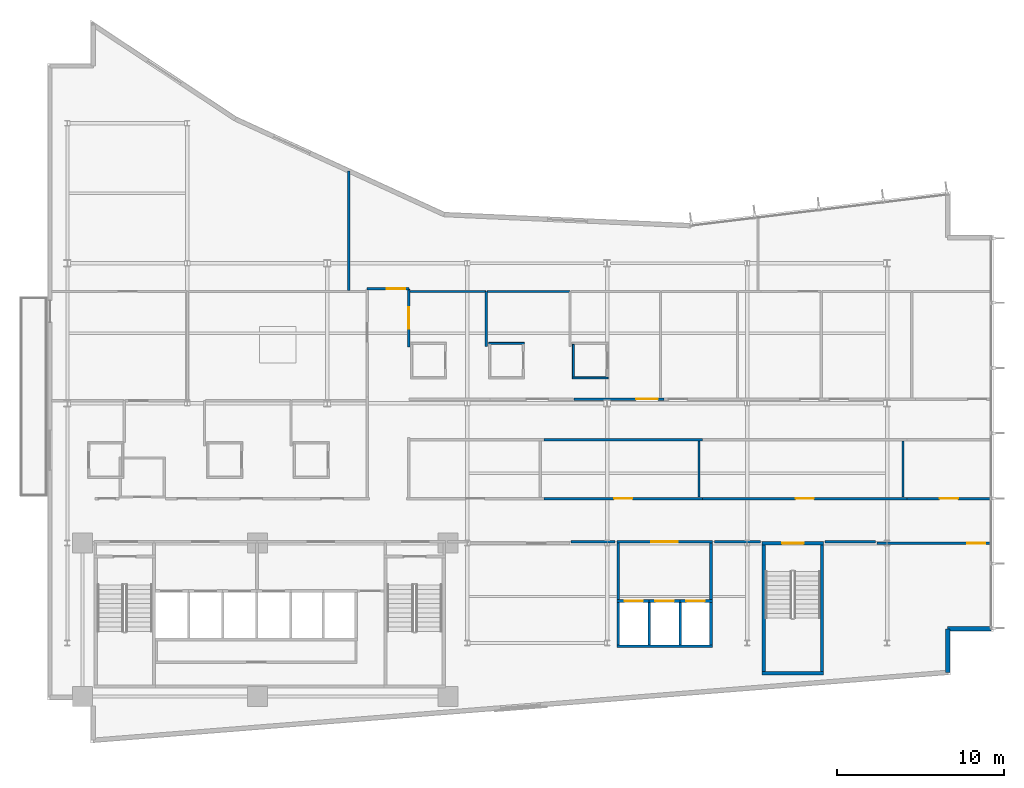
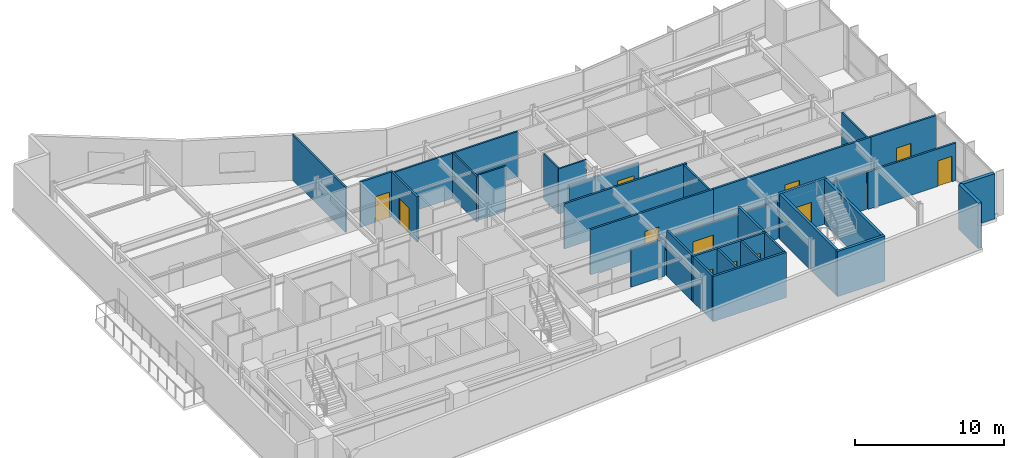
# One storey, part 12 of 19: 37 walls, 12 doors, 12 openings.
"""IFC4 building model written with IfcOpenShell, lengths in metres."""

import ifcopenshell
import ifcopenshell.guid

model = None  # the IFC model being written
_history = None  # IfcOwnerHistory: only IFC2X3 demands one
_inside = {}  # id of a spatial element -> (the spatial element, [elements in it])
_under = {}  # id of a project, library or spatial element -> (it, [spatial elements below it])
_declared = {}  # id of a project -> (the project, [libraries it declares])
_typed = {}  # id of a type object -> (the type object, [elements of that type])
_made_of = {}  # id of a material, layer set ... -> (it, [elements and type objects made of it])


def new_model(schema):
    """Start an empty IFC model of exactly this schema.

    Asked for "IFC4X3", IfcOpenShell would pick the latest addendum, in which some entities
    have other attributes; the version numbers below select the first issue.
    IFC2X3 requires an IfcOwnerHistory on every rooted entity: one is made here for all.
    """
    global model, _history
    if schema == "IFC4X3":
        model = ifcopenshell.file(schema_version=(4, 3, 0, 0))
    else:
        model = ifcopenshell.file(schema=schema)
    _inside.clear()
    _under.clear()
    _declared.clear()
    _typed.clear()
    _made_of.clear()
    _history = None
    if model.schema == "IFC2X3":
        org = make("IfcOrganization", Name="unknown")
        user = make(
            "IfcPersonAndOrganization",
            ThePerson=make("IfcPerson", FamilyName="unknown"),
            TheOrganization=org,
        )
        app = make(
            "IfcApplication",
            ApplicationDeveloper=org,
            Version="unknown",
            ApplicationFullName="unknown",
            ApplicationIdentifier="unknown",
        )
        _history = make(
            "IfcOwnerHistory",
            OwningUser=user,
            OwningApplication=app,
            ChangeAction="ADDED",
            CreationDate=0,
        )
    return model


def make(cls, **values):
    """One entity of the class cls with the attributes given. An attribute that is None is left unset."""
    return model.create_entity(
        cls, **{name: value for name, value in values.items() if value is not None}
    )


def rooted(cls, **values):
    """An entity with a GlobalId (a new one), such as an element, a storey or a relation."""
    return make(cls, GlobalId=ifcopenshell.guid.new(), OwnerHistory=_history, **values)


def si_unit(unit_type, name, prefix=None):
    """IfcSIUnit, for example si_unit("LENGTHUNIT", "METRE", prefix="MILLI")."""
    return make("IfcSIUnit", UnitType=unit_type, Prefix=prefix, Name=name)


def assignment(units):
    """IfcUnitAssignment: the units of a project."""
    return None if units is None else make("IfcUnitAssignment", Units=units)


def point(xyz):
    """IfcCartesianPoint."""
    return None if xyz is None else make("IfcCartesianPoint", Coordinates=xyz)


def direction(xyz):
    """IfcDirection."""
    return None if xyz is None else make("IfcDirection", DirectionRatios=xyz)


def frame(location, z_axis=None, x_axis=None):
    """IfcAxis2Placement3D, a coordinate frame: its origin and axes. An axis left out is left unset."""
    return make(
        "IfcAxis2Placement3D",
        Location=point(location),
        Axis=direction(z_axis),
        RefDirection=direction(x_axis),
    )


def frame_2d(location, x_axis=None):
    """IfcAxis2Placement2D, a coordinate frame in the plane: its origin and x axis."""
    return make(
        "IfcAxis2Placement2D", Location=point(location), RefDirection=direction(x_axis)
    )


def origin():
    """The frame at (0, 0, 0) with its axes left unset."""
    return frame((0.0, 0.0, 0.0))


def place(relative_to, where):
    """IfcLocalPlacement: puts the frame where relative to a parent placement (None: the world)."""
    return make(
        "IfcLocalPlacement", PlacementRelTo=relative_to, RelativePlacement=where
    )


def context(
    kind, dimensions, precision=None, world=None, true_north=None, identifier=None
):
    """IfcGeometricRepresentationContext, for example the 3D "Model" context."""
    return make(
        "IfcGeometricRepresentationContext",
        ContextIdentifier=identifier,
        ContextType=kind,
        CoordinateSpaceDimension=dimensions,
        Precision=precision,
        WorldCoordinateSystem=world,
        TrueNorth=true_north,
    )


def subcontext(parent, identifier, kind, view, scale=None):
    """IfcGeometricRepresentationSubContext, for example "Body" below "Model"."""
    return make(
        "IfcGeometricRepresentationSubContext",
        ContextIdentifier=identifier,
        ContextType=kind,
        ParentContext=parent,
        TargetScale=scale,
        TargetView=view,
    )


def project(units=None, contexts=None):
    """IfcProject with its units and contexts."""
    return rooted(
        "IfcProject",
        Name="project",
        RepresentationContexts=contexts,
        UnitsInContext=assignment(units),
    )


def spatial(cls, under=None, at=None, **own):
    """A site, building, storey or space (cls), placed at a placement, below another one or the project."""
    s = rooted(cls, ObjectPlacement=at, **own)
    if under is not None:
        _under.setdefault(under.id(), (under, []))[1].append(s)
    return s


def profile(cls, at=None, kind="AREA", **sizes):
    """A parametric profile (cls). Its sizes go by their IFC names, for example OverallWidth=200.0."""
    return make(cls, ProfileType=kind, Position=at, **sizes)


def rectangle(**sizes):
    """IfcRectangleProfileDef."""
    return profile("IfcRectangleProfileDef", **sizes)


def extrude(swept, where, along, depth):
    """IfcExtrudedAreaSolid: the profile swept, set in the frame where, extruded along a direction by depth."""
    return make(
        "IfcExtrudedAreaSolid",
        SweptArea=swept,
        Position=where,
        ExtrudedDirection=direction(along),
        Depth=depth,
    )


def shape(context_of_items, identifier, shape_type, items):
    """IfcShapeRepresentation: the items that make up one representation, for example the "Body"."""
    return make(
        "IfcShapeRepresentation",
        ContextOfItems=context_of_items,
        RepresentationIdentifier=identifier,
        RepresentationType=shape_type,
        Items=items,
    )


def material(Name=None, Category=None):
    """IfcMaterial."""
    return make("IfcMaterial", Name=Name, Category=Category)


def layer(
    of_material, thickness, ventilated=None, Name=None, Category=None, Priority=None
):
    """IfcMaterialLayer: one layer of a wall or slab, of a material (None: an air gap)."""
    return make(
        "IfcMaterialLayer",
        Material=of_material,
        LayerThickness=thickness,
        IsVentilated=ventilated,
        Name=Name,
        Category=Category,
        Priority=Priority,
    )


def layer_set(layers, Name=None):
    """IfcMaterialLayerSet."""
    return make("IfcMaterialLayerSet", MaterialLayers=layers, LayerSetName=Name)


def made_of(thing, what):
    """Note that an element or type object is made of a material, layer set ...; save() writes the relation."""
    if what is not None:
        _made_of.setdefault(what.id(), (what, []))[1].append(thing)
    return thing


def type_object(cls, material=None, **own):
    """A type object (cls), such as IfcWallType, which elements share."""
    return made_of(rooted(cls, **own), material)


def element(
    cls,
    number,
    at=None,
    inside=None,
    cuts=None,
    type_object=None,
    material=None,
    context=None,
    identifier="Body",
    shape_type=None,
    held_by="IfcProductDefinitionShape",
    body=None,
    shapes=None,
    **own,
):
    """One element of the class cls, such as IfcWall. Its Tag is "e" and its number.

    at: its placement. inside: the storey or other place that contains it. cuts: it is an
    opening in that element (IfcRelVoidsElement). A single representation is given by context,
    identifier, shape_type and body (its items); several are given by shapes. held_by: the class
    of the entity that holds the representations. save() writes the other relations.
    """
    e = rooted(cls, Tag="e%d" % number, ObjectPlacement=at, **own)
    if body is not None:
        shapes = [shape(context, identifier, shape_type, body)]
    if shapes is not None:
        e.Representation = make(held_by, Representations=shapes)
    if inside is not None:
        _inside.setdefault(inside.id(), (inside, []))[1].append(e)
    if cuts is not None:
        rooted(
            "IfcRelVoidsElement", RelatingBuildingElement=cuts, RelatedOpeningElement=e
        )
    if type_object is not None:
        _typed.setdefault(type_object.id(), (type_object, []))[1].append(e)
    return made_of(e, material)


def fill(opening, filler):
    """IfcRelFillsElement: the door or window that sits in an opening."""
    return rooted(
        "IfcRelFillsElement",
        RelatingOpeningElement=opening,
        RelatedBuildingElement=filler,
    )


def aggregate(whole, parts):
    """IfcRelAggregates: a whole, such as a stair, and the parts it consists of."""
    return rooted("IfcRelAggregates", RelatingObject=whole, RelatedObjects=parts)


def save(model, path):
    """Write the relations noted so far, then the file.

    IfcRelAggregates (storeys below a building ...), IfcRelContainedInSpatialStructure (elements
    in a storey), IfcRelDefinesByType, IfcRelAssociatesMaterial and IfcRelDeclares: one each for
    every whole, place, type object, material and project.
    """
    for whole, parts in _under.values():
        aggregate(whole, parts)
    for where, things in _inside.values():
        rooted(
            "IfcRelContainedInSpatialStructure",
            RelatedElements=things,
            RelatingStructure=where,
        )
    for kind, things in _typed.values():
        rooted("IfcRelDefinesByType", RelatedObjects=things, RelatingType=kind)
    for what, things in _made_of.values():
        rooted("IfcRelAssociatesMaterial", RelatedObjects=things, RelatingMaterial=what)
    for by, libraries in _declared.values():
        rooted("IfcRelDeclares", RelatingContext=by, RelatedDefinitions=libraries)
    model.write(path)


model = new_model("IFC4")

# Units and contexts
model_context = context("Model", 3, precision=1e-05, world=origin(), true_north=direction((0.0, 1.0)))
body_context = subcontext(model_context, "Body", "Model", "MODEL_VIEW")
ifc_project = project(units=[si_unit("LENGTHUNIT", "METRE"), si_unit("AREAUNIT", "SQUARE_METRE"), si_unit("VOLUMEUNIT", "CUBIC_METRE"), si_unit("PLANEANGLEUNIT", "RADIAN"), si_unit("MASSUNIT", "GRAM", prefix="KILO")], contexts=[model_context])

# Site, building, storey
site_placement = place(None, origin())
site = spatial("IfcSite", under=ifc_project, at=site_placement, CompositionType="ELEMENT")
building_placement = place(site_placement, origin())
building = spatial("IfcBuilding", under=site, at=building_placement, Name="Varnakote Quay Hospital", CompositionType="ELEMENT")
storey_placement = place(building_placement, frame((0.0, 0.0, 115.199951171875)))
storey = spatial("IfcBuildingStorey", under=building, at=storey_placement, Name="L28", CompositionType="ELEMENT", Elevation=115.199951171875)

# Walls
ifc_material_1 = material(Name="Fire-rated acoustic gypsum stud wall", Category="gypsum")
ifc_layer_1 = layer(ifc_material_1, 0.159912109375)
ifc_layer_set_1 = layer_set([ifc_layer_1], Name="Fire-rated acoustic gypsum stud wall")
wall_type_1 = type_object("IfcWallType", Name="WL-COMP-160", PredefinedType="PARTITIONING", material=ifc_layer_set_1)
for number, where, z_axis, x_axis, name in (
    (1, (34.27001953125, 8.610107421875, 0.0), (0.0, 0.0, 1.0), (0.0, 1.0, 0.0), "L28 Mid-Rise Lift Lobby West Wall"),
    (2, (39.830078125, 8.610107421875, 0.0), (0.0, 0.0, 1.0), (0.0, 1.0, 0.0), "L28 Mid-Rise Lift Lobby East Wall"),
):
    element("IfcWall", number, at=place(storey_placement, frame(where, z_axis=z_axis, x_axis=x_axis)), inside=storey, type_object=wall_type_1, Name=name, PredefinedType="PARTITIONING", context=body_context, shape_type="SweptSolid", body=[
        extrude(rectangle(XDim=3.389892578125, YDim=0.159912109375, at=frame_2d((1.69482421875, 0.0))), origin(), (0.0, 0.0, 1.0), 3.7099609375),
    ])

# Wall, opening, door
wall_1_placement = place(storey_placement, frame((34.18994140625, 12.080078125, 0.0), z_axis=(0.0, 0.0, 1.0), x_axis=(1.0, 0.0, 0.0)))
wall_1 = element("IfcWall", 3, at=wall_1_placement, inside=storey, type_object=wall_type_1, Name="L28 Mid-Rise Lift Lobby North Wall", PredefinedType="PARTITIONING", context=body_context, shape_type="SweptSolid", body=[
    extrude(rectangle(XDim=5.719970703125, YDim=0.159912109375, at=frame_2d((2.85986328125, 0.0))), origin(), (0.0, 0.0, 1.0), 3.0830078125),
])
opening_1_placement = place(wall_1_placement, frame((2.06005859375, 0.0, 0.0)))
opening_1 = element("IfcOpeningElement", 4, at=opening_1_placement, cuts=wall_1, Name="Opening D-PML-L28", PredefinedType="OPENING", context=body_context, shape_type="SweptSolid", body=[
    extrude(rectangle(XDim=1.60009765625, YDim=2.050048828125, at=frame_2d((0.800048828125, 1.02490234375))), frame((0.0, 0.08984375, 0.0), z_axis=(0.0, -1.0, 0.0), x_axis=(1.0, 0.0, 0.0)), (0.0, 0.0, 1.0), 0.179931640625),
])
ifc_material_2 = material(Name="Fire-rated double smoke lobby door")
door_type_1 = type_object("IfcDoorType", Name="DR-LOBBY-FD60S-1600x2150", OperationType="NOTDEFINED", PredefinedType="DOOR", material=ifc_material_2)
door_1_placement = place(opening_1_placement, origin())
door_1 = element("IfcDoor", 5, at=door_1_placement, inside=storey, type_object=door_type_1, Name="L28 Mid-Rise Passenger Concourse Vestibule Door", OperationType="DOUBLE_DOOR_SINGLE_SWING", OverallHeight=2.050048828125, OverallWidth=1.60009765625, PredefinedType="DOOR", context=body_context, shape_type="SweptSolid", body=[
    extrude(rectangle(XDim=1.60009765625, YDim=2.050048828125, at=frame_2d((0.800048828125, 1.02490234375))), frame((0.0, 0.02490234375, 0.0), z_axis=(0.0, -1.0, 0.0), x_axis=(1.0, 0.0, 0.0)), (0.0, 0.0, 1.0), 0.050048828125),
])
fill(opening_1, door_1)

# Walls
wall_2_placement = place(storey_placement, frame((31.439208984375, 12.080078125, 0.0), z_axis=(0.0, 0.0, 1.0), x_axis=(1.0, 0.0, 0.0)))
element("IfcWall", 6, at=wall_2_placement, inside=storey, type_object=wall_type_1, Name="L28 Corridor South Gap Wall", PredefinedType="PARTITIONING", context=body_context, shape_type="SweptSolid", body=[
    extrude(rectangle(XDim=2.630859375, YDim=0.159912109375, at=frame_2d((1.3154296875, 0.0))), origin(), (0.0, 0.0, 1.0), 3.0830078125),
])
wall_3_placement = place(storey_placement, frame((40.030029296875, 12.080078125, 0.0), z_axis=(0.0, 0.0, 1.0), x_axis=(1.0, 0.0, 0.0)))
element("IfcWall", 7, at=wall_3_placement, inside=storey, type_object=wall_type_1, Name="L28 Corridor South Gap Wall", PredefinedType="PARTITIONING", context=body_context, shape_type="SweptSolid", body=[
    extrude(rectangle(XDim=2.78076171875, YDim=0.159912109375, at=frame_2d((1.390380859375, 0.0))), origin(), (0.0, 0.0, 1.0), 3.0830078125),
])
wall_4_placement = place(storey_placement, frame((46.689208984375, 12.080078125, 0.0), z_axis=(0.0, 0.0, 1.0), x_axis=(1.0, 0.0, 0.0)))
element("IfcWall", 8, at=wall_4_placement, inside=storey, type_object=wall_type_1, Name="L28 Corridor South Gap Wall", PredefinedType="PARTITIONING", context=body_context, shape_type="SweptSolid", body=[
    extrude(rectangle(XDim=3.0107421875, YDim=0.159912109375, at=frame_2d((1.50537109375, 0.0))), origin(), (0.0, 0.0, 1.0), 3.0830078125),
])
ifc_material_3 = material(Name="Moisture-resistant bathroom partition", Category="gypsum")
ifc_layer_2 = layer(ifc_material_3, 0.114990234375)
ifc_layer_set_2 = layer_set([ifc_layer_2], Name="Moisture-resistant bathroom partition")
wall_type_2 = type_object("IfcWallType", Name="WL-ENS-115", PredefinedType="PARTITIONING", material=ifc_layer_set_2)
wall_5_placement = place(storey_placement, frame((26.485107421875, 23.987548828125, 0.0), z_axis=(0.0, 0.0, 1.0), x_axis=(1.0, 0.0, 0.0)))
element("IfcWall", 9, at=wall_5_placement, inside=storey, type_object=wall_type_2, Name="L28 Inpatient En-Suite Bathroom 05 N Wall", PredefinedType="PARTITIONING", context=body_context, shape_type="SweptSolid", body=[
    extrude(rectangle(XDim=2.14990234375, YDim=0.114990234375, at=frame_2d((1.074951171875, 0.0))), origin(), (0.0, 0.0, 1.0), 3.7099609375),
])
wall_6_placement = place(storey_placement, frame((31.514892578125, 21.922607421875, 0.0), z_axis=(0.0, 0.0, 1.0), x_axis=(1.0, 0.0, 0.0)))
element("IfcWall", 10, at=wall_6_placement, inside=storey, type_object=wall_type_2, Name="L28 Inpatient En-Suite Bathroom 06 S Wall", PredefinedType="PARTITIONING", context=body_context, shape_type="SweptSolid", body=[
    extrude(rectangle(XDim=2.150146484375, YDim=0.114990234375, at=frame_2d((1.0751953125, 0.0))), origin(), (0.0, 0.0, 1.0), 3.7099609375),
])
wall_7_placement = place(storey_placement, frame((31.572509765625, 21.97998046875, 0.0), z_axis=(0.0, 0.0, 1.0), x_axis=(0.0, 1.0, 0.0)))
element("IfcWall", 11, at=wall_7_placement, inside=storey, type_object=wall_type_2, Name="L28 Inpatient En-Suite Bathroom 06 W Wall", PredefinedType="PARTITIONING", context=body_context, shape_type="SweptSolid", body=[
    extrude(rectangle(XDim=1.949951171875, YDim=0.114990234375, at=frame_2d((0.97509765625, 0.0))), origin(), (0.0, 0.0, 1.0), 3.7099609375),
])
ifc_material_4 = material(Name="Precast concrete N50 (f'c 50 MPa)", Category="concrete")
ifc_layer_3 = layer(ifc_material_4, 0.260009765625)
ifc_layer_set_3 = layer_set([ifc_layer_3], Name="Precast concrete N50 (f'c 50 MPa)")
wall_type_3 = type_object("IfcWallType", Name="WL-EXT-BRICK-260", PredefinedType="STANDARD", material=ifc_layer_set_3)
wall_8_placement = place(storey_placement, frame((54.0400390625, 4.247802734375, 0.0), z_axis=(0.0, 0.0, 1.0), x_axis=(0.0, 1.0, 0.0)))
element("IfcWall", 12, at=wall_8_placement, inside=storey, type_object=wall_type_3, Name="L28 Brick-Faced Precast Exterior Wall", PredefinedType="STANDARD", context=body_context, shape_type="SweptSolid", body=[
    extrude(rectangle(XDim=2.6123046875, YDim=0.260009765625, at=frame_2d((1.30615234375, 0.0))), origin(), (0.0, 0.0, 1.0), 3.7099609375),
])
wall_9_placement = place(storey_placement, frame((54.0400390625, 6.860107421875, 0.0), z_axis=(0.0, 0.0, 1.0), x_axis=(1.0, 0.0, 0.0)))
element("IfcWall", 13, at=wall_9_placement, inside=storey, type_object=wall_type_3, Name="L28 Brick-Faced Precast Exterior Wall", PredefinedType="STANDARD", context=body_context, shape_type="SweptSolid", body=[
    extrude(rectangle(XDim=2.599853515625, YDim=0.260009765625, at=frame_2d((1.2998046875, 0.0))), origin(), (0.0, 0.0, 1.0), 3.7099609375),
])
ifc_material_5 = material(Name="Concrete N50 (f'c 50 MPa)", Category="concrete")
ifc_layer_4 = layer(ifc_material_5, 0.14990234375)
ifc_layer_set_4 = layer_set([ifc_layer_4], Name="Concrete N50 (f'c 50 MPa)")
wall_type_4 = type_object("IfcWallType", Name="WL-SHAFT-N50-150", PredefinedType="SHEAR", material=ifc_layer_set_4)
for number, where, z_axis, x_axis, name in (
    (14, (36.125, 5.89990234375, 0.0), (0.0, 0.0, 1.0), (0.0, 1.0, 0.0), "L28 LF-PM1 Hoistway Divider Wall"),
    (15, (37.97509765625, 5.89990234375, 0.0), (0.0, 0.0, 1.0), (0.0, 1.0, 0.0), "L28 LF-PM2 Hoistway Divider Wall"),
):
    element("IfcWall", number, at=place(storey_placement, frame(where, z_axis=z_axis, x_axis=x_axis)), inside=storey, type_object=wall_type_4, Name=name, PredefinedType="SHEAR", context=body_context, shape_type="SweptSolid", body=[
        extrude(rectangle(XDim=2.550048828125, YDim=0.14990234375, at=frame_2d((1.27490234375, 0.0))), origin(), (0.0, 0.0, 1.0), 3.7099609375),
    ])
ifc_material_6 = material(Name="Concrete N50 (f'c 50 MPa)", Category="concrete")
ifc_layer_5 = layer(ifc_material_6, 0.159912109375)
ifc_layer_set_5 = layer_set([ifc_layer_5], Name="Concrete N50 (f'c 50 MPa)")
wall_type_5 = type_object("IfcWallType", Name="WL-SHAFT-N50-160", PredefinedType="SHEAR", material=ifc_layer_set_5)
wall_10_placement = place(storey_placement, frame((34.18994140625, 5.820068359375, 0.0), z_axis=(0.0, 0.0, 1.0), x_axis=(1.0, 0.0, 0.0)))
element("IfcWall", 16, at=wall_10_placement, inside=storey, type_object=wall_type_5, Name="L28 MID Lift Bank Back Shear Wall", PredefinedType="SHEAR", context=body_context, shape_type="SweptSolid", body=[
    extrude(rectangle(XDim=5.719970703125, YDim=0.159912109375, at=frame_2d((2.85986328125, 0.0))), origin(), (0.0, 0.0, 1.0), 3.7099609375),
])
for number, where, z_axis, x_axis, name in (
    (17, (34.27001953125, 5.89990234375, 0.0), (0.0, 0.0, 1.0), (0.0, 1.0, 0.0), "L28 MID Lift Bank West Shear Wall"),
    (18, (39.830078125, 5.89990234375, 0.0), (0.0, 0.0, 1.0), (0.0, 1.0, 0.0), "L28 MID Lift Bank East Shear Wall"),
):
    element("IfcWall", number, at=place(storey_placement, frame(where, z_axis=z_axis, x_axis=x_axis)), inside=storey, type_object=wall_type_5, Name=name, PredefinedType="SHEAR", context=body_context, shape_type="SweptSolid", body=[
        extrude(rectangle(XDim=2.550048828125, YDim=0.159912109375, at=frame_2d((1.27490234375, 0.0))), origin(), (0.0, 0.0, 1.0), 3.7099609375),
    ])

# Wall, opening, door
wall_11_placement = place(storey_placement, frame((34.18994140625, 8.530029296875, 0.0), z_axis=(0.0, 0.0, 1.0), x_axis=(1.0, 0.0, 0.0)))
wall_11 = element("IfcWall", 19, at=wall_11_placement, inside=storey, type_object=wall_type_5, Name="L28 LF-PM1 Hoistway Front Wall", PredefinedType="SHEAR", context=body_context, shape_type="SweptSolid", body=[
    extrude(rectangle(XDim=1.93505859375, YDim=0.159912109375, at=frame_2d((0.967529296875, 0.0))), origin(), (0.0, 0.0, 1.0), 3.7099609375),
])
opening_2_placement = place(wall_11_placement, frame((0.4599609375, 0.0, 0.0)))
opening_2 = element("IfcOpeningElement", 20, at=opening_2_placement, cuts=wall_11, Name="Opening LD-PM1-L28", PredefinedType="OPENING", context=body_context, shape_type="SweptSolid", body=[
    extrude(rectangle(XDim=1.10009765625, YDim=2.14990234375, at=frame_2d((0.550048828125, 1.074951171875))), frame((0.0, 0.08984375, 0.0), z_axis=(0.0, -1.0, 0.0), x_axis=(1.0, 0.0, 0.0)), (0.0, 0.0, 1.0), 0.179931640625),
])
ifc_material_7 = material(Name="Brushed bronze lift landing sliding door")
door_type_2 = type_object("IfcDoorType", Name="DR-LIFT-LD-1100x2150", OperationType="NOTDEFINED", PredefinedType="DOOR", material=ifc_material_7)
door_2_placement = place(opening_2_placement, origin())
door_2 = element("IfcDoor", 21, at=door_2_placement, inside=storey, type_object=door_type_2, Name="L28 LF-PM1 Lift Landing Sliding Door", OperationType="SLIDING_TO_LEFT", OverallHeight=2.14990234375, OverallWidth=1.10009765625, PredefinedType="DOOR", context=body_context, shape_type="SweptSolid", body=[
    extrude(rectangle(XDim=1.10009765625, YDim=2.14990234375, at=frame_2d((0.550048828125, 1.074951171875))), frame((0.0, 0.02490234375, 0.0), z_axis=(0.0, -1.0, 0.0), x_axis=(1.0, 0.0, 0.0)), (0.0, 0.0, 1.0), 0.050048828125),
])
fill(opening_2, door_2)

wall_12_placement = place(storey_placement, frame((36.125, 8.530029296875, 0.0), z_axis=(0.0, 0.0, 1.0), x_axis=(1.0, 0.0, 0.0)))
wall_12 = element("IfcWall", 22, at=wall_12_placement, inside=storey, type_object=wall_type_5, Name="L28 LF-PM2 Hoistway Front Wall", PredefinedType="SHEAR", context=body_context, shape_type="SweptSolid", body=[
    extrude(rectangle(XDim=1.85009765625, YDim=0.159912109375, at=frame_2d((0.925048828125, 0.0))), origin(), (0.0, 0.0, 1.0), 3.7099609375),
])
opening_3_placement = place(wall_12_placement, frame((0.375, 0.0, 0.0)))
opening_3 = element("IfcOpeningElement", 23, at=opening_3_placement, cuts=wall_12, Name="Opening LD-PM2-L28", PredefinedType="OPENING", context=body_context, shape_type="SweptSolid", body=[
    extrude(rectangle(XDim=1.10009765625, YDim=2.14990234375, at=frame_2d((0.550048828125, 1.074951171875))), frame((0.0, 0.08984375, 0.0), z_axis=(0.0, -1.0, 0.0), x_axis=(1.0, 0.0, 0.0)), (0.0, 0.0, 1.0), 0.179931640625),
])
door_3_placement = place(opening_3_placement, origin())
door_3 = element("IfcDoor", 24, at=door_3_placement, inside=storey, type_object=door_type_2, Name="L28 LF-PM2 Lift Landing Sliding Door", OperationType="SLIDING_TO_LEFT", OverallHeight=2.14990234375, OverallWidth=1.10009765625, PredefinedType="DOOR", context=body_context, shape_type="SweptSolid", body=[
    extrude(rectangle(XDim=1.10009765625, YDim=2.14990234375, at=frame_2d((0.550048828125, 1.074951171875))), frame((0.0, 0.02490234375, 0.0), z_axis=(0.0, -1.0, 0.0), x_axis=(1.0, 0.0, 0.0)), (0.0, 0.0, 1.0), 0.050048828125),
])
fill(opening_3, door_3)

wall_13_placement = place(storey_placement, frame((37.97509765625, 8.530029296875, 0.0), z_axis=(0.0, 0.0, 1.0), x_axis=(1.0, 0.0, 0.0)))
wall_13 = element("IfcWall", 25, at=wall_13_placement, inside=storey, type_object=wall_type_5, Name="L28 LF-PM3 Hoistway Front Wall", PredefinedType="SHEAR", context=body_context, shape_type="SweptSolid", body=[
    extrude(rectangle(XDim=1.934814453125, YDim=0.159912109375, at=frame_2d((0.96728515625, 0.0))), origin(), (0.0, 0.0, 1.0), 3.7099609375),
])
opening_4_placement = place(wall_13_placement, frame((0.375, 0.0, 0.0)))
opening_4 = element("IfcOpeningElement", 26, at=opening_4_placement, cuts=wall_13, Name="Opening LD-PM3-L28", PredefinedType="OPENING", context=body_context, shape_type="SweptSolid", body=[
    extrude(rectangle(XDim=1.10009765625, YDim=2.14990234375, at=frame_2d((0.550048828125, 1.074951171875))), frame((0.0, 0.08984375, 0.0), z_axis=(0.0, -1.0, 0.0), x_axis=(1.0, 0.0, 0.0)), (0.0, 0.0, 1.0), 0.179931640625),
])
door_4_placement = place(opening_4_placement, origin())
door_4 = element("IfcDoor", 27, at=door_4_placement, inside=storey, type_object=door_type_2, Name="L28 LF-PM3 Lift Landing Sliding Door", OperationType="SLIDING_TO_LEFT", OverallHeight=2.14990234375, OverallWidth=1.10009765625, PredefinedType="DOOR", context=body_context, shape_type="SweptSolid", body=[
    extrude(rectangle(XDim=1.10009765625, YDim=2.14990234375, at=frame_2d((0.550048828125, 1.074951171875))), frame((0.0, 0.02490234375, 0.0), z_axis=(0.0, -1.0, 0.0), x_axis=(1.0, 0.0, 0.0)), (0.0, 0.0, 1.0), 0.050048828125),
])
fill(opening_4, door_4)

# Walls
ifc_material_8 = material(Name="Concrete N50 (f'c 50 MPa)", Category="concrete")
ifc_layer_6 = layer(ifc_material_8, 0.199951171875)
ifc_layer_set_6 = layer_set([ifc_layer_6], Name="Concrete N50 (f'c 50 MPa)")
wall_type_6 = type_object("IfcWallType", Name="WL-SHAFT-N50-200", PredefinedType="SHEAR", material=ifc_layer_set_6)
wall_14_placement = place(storey_placement, frame((42.89990234375, 4.199951171875, 0.0), z_axis=(0.0, 0.0, 1.0), x_axis=(1.0, 0.0, 0.0)))
element("IfcWall", 28, at=wall_14_placement, inside=storey, type_object=wall_type_6, Name="L28 Stair ST3 South Shaft Wall", PredefinedType="SHEAR", context=body_context, shape_type="SweptSolid", body=[
    extrude(rectangle(XDim=3.7001953125, YDim=0.199951171875, at=frame_2d((1.85009765625, 0.0))), origin(), (0.0, 0.0, 1.0), 3.7099609375),
])
for number, where, z_axis, x_axis, name in (
    (29, (43.0, 4.300048828125, 0.0), (0.0, 0.0, 1.0), (0.0, 1.0, 0.0), "L28 Stair ST3 West Shaft Wall"),
    (30, (46.5, 4.300048828125, 0.0), (0.0, 0.0, 1.0), (0.0, 1.0, 0.0), "L28 Stair ST3 East Shaft Wall"),
):
    element("IfcWall", number, at=place(storey_placement, frame(where, z_axis=z_axis, x_axis=x_axis)), inside=storey, type_object=wall_type_6, Name=name, PredefinedType="SHEAR", context=body_context, shape_type="SweptSolid", body=[
        extrude(rectangle(XDim=7.599853515625, YDim=0.199951171875, at=frame_2d((3.7998046875, 0.0))), origin(), (0.0, 0.0, 1.0), 3.7099609375),
    ])

# Wall, opening, door
wall_15_placement = place(storey_placement, frame((42.89990234375, 12.0, 0.0), z_axis=(0.0, 0.0, 1.0), x_axis=(1.0, 0.0, 0.0)))
wall_15 = element("IfcWall", 31, at=wall_15_placement, inside=storey, type_object=wall_type_6, Name="L28 Stair ST3 Exit Wall", PredefinedType="SHEAR", context=body_context, shape_type="SweptSolid", body=[
    extrude(rectangle(XDim=3.7001953125, YDim=0.199951171875, at=frame_2d((1.85009765625, 0.0))), origin(), (0.0, 0.0, 1.0), 3.7099609375),
])
opening_5_placement = place(wall_15_placement, frame((1.199951171875, 0.0, 0.0)))
opening_5 = element("IfcOpeningElement", 32, at=opening_5_placement, cuts=wall_15, Name="Opening D-ST3-L28", PredefinedType="OPENING", context=body_context, shape_type="SweptSolid", body=[
    extrude(rectangle(XDim=1.300048828125, YDim=2.14990234375, at=frame_2d((0.64990234375, 1.074951171875))), frame((0.0, 0.10986328125, 0.0), z_axis=(0.0, -1.0, 0.0), x_axis=(1.0, 0.0, 0.0)), (0.0, 0.0, 1.0), 0.219970703125),
])
ifc_material_9 = material(Name="Fire-rated ceramic-glazed timber exit door", Category="wood")
door_type_3 = type_object("IfcDoorType", Name="DR-STAIR-FD60S-1300x2150", OperationType="NOTDEFINED", PredefinedType="DOOR", material=ifc_material_9)
door_5_placement = place(opening_5_placement, origin())
door_5 = element("IfcDoor", 33, at=door_5_placement, inside=storey, type_object=door_type_3, Name="L28 Stair ST3 Fire Exit Door", OperationType="SINGLE_SWING_LEFT", OverallHeight=2.14990234375, OverallWidth=1.300048828125, PredefinedType="DOOR", context=body_context, shape_type="SweptSolid", body=[
    extrude(rectangle(XDim=1.300048828125, YDim=2.14990234375, at=frame_2d((0.64990234375, 1.074951171875))), frame((0.0, 0.02490234375, 0.0), z_axis=(0.0, -1.0, 0.0), x_axis=(1.0, 0.0, 0.0)), (0.0, 0.0, 1.0), 0.050048828125),
])
fill(opening_5, door_5)

# Walls
ifc_material_10 = material(Name="Smoke-proof clinical partition", Category="gypsum")
ifc_layer_7 = layer(ifc_material_10, 0.135009765625)
ifc_layer_set_7 = layer_set([ifc_layer_7], Name="Smoke-proof clinical partition")
wall_type_7 = type_object("IfcWallType", Name="WL-SMOKE-135", PredefinedType="PARTITIONING", material=ifc_layer_set_7)
for number, where, z_axis, x_axis, name in (
    (34, (39.110107421875, 14.760009765625, 0.0), (0.0, 0.0, 1.0), (0.0, 1.0, 0.0), "L28 Clinical Interior Partition"),
    (35, (51.360107421875, 14.760009765625, 0.0), (0.0, 0.0, 1.0), (0.0, 1.0, 0.0), "L28 Clinical Interior Partition"),
):
    element("IfcWall", number, at=place(storey_placement, frame(where, z_axis=z_axis, x_axis=x_axis)), inside=storey, type_object=wall_type_7, Name=name, PredefinedType="PARTITIONING", context=body_context, shape_type="SweptSolid", body=[
        extrude(rectangle(XDim=3.360107421875, YDim=0.135009765625, at=frame_2d((1.68017578125, 0.0))), origin(), (0.0, 0.0, 1.0), 3.7099609375),
    ])
wall_16_placement = place(storey_placement, frame((26.340087890625, 23.802490234375, 0.0), z_axis=(0.0, 0.0, 1.0), x_axis=(0.0, 1.0, 0.0)))
element("IfcWall", 36, at=wall_16_placement, inside=storey, type_object=wall_type_7, Name="L28 Clinical Interior Partition", PredefinedType="PARTITIONING", context=body_context, shape_type="SweptSolid", body=[
    extrude(rectangle(XDim=3.297607421875, YDim=0.135009765625, at=frame_2d((1.64892578125, 0.0))), origin(), (0.0, 0.0, 1.0), 3.7099609375),
])
wall_17_placement = place(storey_placement, frame((26.340087890625, 27.10009765625, 0.0), z_axis=(0.0, 0.0, 1.0), x_axis=(-1.0, 0.0, 0.0)))
element("IfcWall", 37, at=wall_17_placement, inside=storey, type_object=wall_type_7, Name="L28 Clinical Interior Partition", PredefinedType="PARTITIONING", context=body_context, shape_type="SweptSolid", body=[
    extrude(rectangle(XDim=4.5751953125, YDim=0.135009765625, at=frame_2d((2.28759765625, 0.0))), origin(), (0.0, 0.0, 1.0), 3.7099609375),
])
wall_18_placement = place(storey_placement, frame((31.3701171875, 27.10009765625, 0.0), z_axis=(0.0, 0.0, 1.0), x_axis=(-1.0, 0.0, 0.0)))
element("IfcWall", 38, at=wall_18_placement, inside=storey, type_object=wall_type_7, Name="L28 Clinical Interior Partition", PredefinedType="PARTITIONING", context=body_context, shape_type="SweptSolid", body=[
    extrude(rectangle(XDim=4.97265625, YDim=0.135009765625, at=frame_2d((2.486328125, 0.0))), origin(), (0.0, 0.0, 1.0), 3.7099609375),
])
wall_19_placement = place(storey_placement, frame((18.090087890625, 27.157470703125, 0.0), z_axis=(0.0, 0.0, 1.0), x_axis=(0.0, 1.0, 0.0)))
element("IfcWall", 39, at=wall_19_placement, inside=storey, type_object=wall_type_7, Name="L28 Clinical Interior Partition", PredefinedType="PARTITIONING", context=body_context, shape_type="SweptSolid", body=[
    extrude(rectangle(XDim=7.180908203125, YDim=0.135009765625, at=frame_2d((3.59033203125, 0.0))), origin(), (0.0, 0.0, 1.0), 3.7099609375),
])

# Wall, opening, door
ifc_material_11 = material(Name="Fire-rated clinical gypsum partition", Category="gypsum")
ifc_layer_8 = layer(ifc_material_11, 0.14990234375)
ifc_layer_set_8 = layer_set([ifc_layer_8], Name="Fire-rated clinical gypsum partition")
wall_type_8 = type_object("IfcWallType", Name="WL-WARD-150", PredefinedType="PARTITIONING", material=ifc_layer_set_8)
wall_20_placement = place(storey_placement, frame((56.639892578125, 12.0, 0.0), z_axis=(0.0, 0.0, 1.0), x_axis=(-1.0, 0.0, 0.0)))
wall_20 = element("IfcWall", 40, at=wall_20_placement, inside=storey, type_object=wall_type_8, Name="L28 Clinical Interior Partition", PredefinedType="PARTITIONING", context=body_context, shape_type="SweptSolid", body=[
    extrude(rectangle(XDim=6.83984375, YDim=0.14990234375, at=frame_2d((3.419921875, 0.0))), origin(), (0.0, 0.0, 1.0), 3.0830078125),
])
opening_6_placement = place(wall_20_placement, frame((0.33349609375, 0.0, 0.0)))
opening_6 = element("IfcOpeningElement", 41, at=opening_6_placement, cuts=wall_20, Name="Opening D-L28-SE1", PredefinedType="OPENING", context=body_context, shape_type="SweptSolid", body=[
    extrude(rectangle(XDim=1.10009765625, YDim=2.10009765625, at=frame_2d((0.550048828125, 1.050048828125))), frame((0.0, 0.0849609375, 0.0), z_axis=(0.0, -1.0, 0.0), x_axis=(1.0, 0.0, 0.0)), (0.0, 0.0, 1.0), 0.169921875),
])
ifc_material_12 = material(Name="Acoustic timber clinical consult door", Category="wood")
door_type_4 = type_object("IfcDoorType", Name="DR-CLIN-FD30S-1100x2100", OperationType="NOTDEFINED", PredefinedType="DOOR", material=ifc_material_12)
door_6_placement = place(opening_6_placement, origin())
door_6 = element("IfcDoor", 42, at=door_6_placement, inside=storey, type_object=door_type_4, Name="L28 Clinical Biomedical Engineering Office Door", OperationType="SINGLE_SWING_RIGHT", OverallHeight=2.10009765625, OverallWidth=1.10009765625, PredefinedType="DOOR", context=body_context, shape_type="SweptSolid", body=[
    extrude(rectangle(XDim=1.10009765625, YDim=2.10009765625, at=frame_2d((0.550048828125, 1.050048828125))), frame((0.0, 0.02490234375, 0.0), z_axis=(0.0, -1.0, 0.0), x_axis=(1.0, 0.0, 0.0)), (0.0, 0.0, 1.0), 0.050048828125),
])
fill(opening_6, door_6)

wall_21_placement = place(storey_placement, frame((39.3359375, 14.679931640625, 0.0), z_axis=(0.0, 0.0, 1.0), x_axis=(-1.0, 0.0, 0.0)))
wall_21 = element("IfcWall", 43, at=wall_21_placement, inside=storey, type_object=wall_type_8, Name="L28 Clinical Interior Partition", PredefinedType="PARTITIONING", context=body_context, shape_type="SweptSolid", body=[
    extrude(rectangle(XDim=9.52783203125, YDim=0.14990234375, at=frame_2d((4.763916015625, 0.0))), origin(), (0.0, 0.0, 1.0), 3.7099609375),
])
opening_7_placement = place(wall_21_placement, frame((4.214111328125, 0.0, 0.0)))
opening_7 = element("IfcOpeningElement", 44, at=opening_7_placement, cuts=wall_21, Name="Opening D-L28-MD03", PredefinedType="OPENING", context=body_context, shape_type="SweptSolid", body=[
    extrude(rectangle(XDim=1.10009765625, YDim=2.10009765625, at=frame_2d((0.550048828125, 1.050048828125))), frame((0.0, 0.0849609375, 0.0), z_axis=(0.0, -1.0, 0.0), x_axis=(1.0, 0.0, 0.0)), (0.0, 0.0, 1.0), 0.169921875),
])
door_7_placement = place(opening_7_placement, origin())
door_7 = element("IfcDoor", 45, at=door_7_placement, inside=storey, type_object=door_type_4, Name="L28 Perinatal Clinical Consultation Suite Door", OperationType="SINGLE_SWING_RIGHT", OverallHeight=2.10009765625, OverallWidth=1.10009765625, PredefinedType="DOOR", context=body_context, shape_type="SweptSolid", body=[
    extrude(rectangle(XDim=1.10009765625, YDim=2.10009765625, at=frame_2d((0.550048828125, 1.050048828125))), frame((0.0, 0.02490234375, 0.0), z_axis=(0.0, -1.0, 0.0), x_axis=(1.0, 0.0, 0.0)), (0.0, 0.0, 1.0), 0.050048828125),
])
fill(opening_7, door_7)

wall_22_placement = place(storey_placement, frame((51.5859375, 14.679931640625, 0.0), z_axis=(0.0, 0.0, 1.0), x_axis=(-1.0, 0.0, 0.0)))
wall_22 = element("IfcWall", 46, at=wall_22_placement, inside=storey, type_object=wall_type_8, Name="L28 Clinical Interior Partition", PredefinedType="PARTITIONING", context=body_context, shape_type="SweptSolid", body=[
    extrude(rectangle(XDim=12.248046875, YDim=0.14990234375, at=frame_2d((6.1240234375, 0.0))), origin(), (0.0, 0.0, 1.0), 3.7099609375),
])
opening_8_placement = place(wall_22_placement, frame((5.573974609375, 0.0, 0.0)))
opening_8 = element("IfcOpeningElement", 47, at=opening_8_placement, cuts=wall_22, Name="Opening D-L28-MD04", PredefinedType="OPENING", context=body_context, shape_type="SweptSolid", body=[
    extrude(rectangle(XDim=1.10009765625, YDim=2.10009765625, at=frame_2d((0.550048828125, 1.050048828125))), frame((0.0, 0.0849609375, 0.0), z_axis=(0.0, -1.0, 0.0), x_axis=(1.0, 0.0, 0.0)), (0.0, 0.0, 1.0), 0.169921875),
])
door_8_placement = place(opening_8_placement, origin())
door_8 = element("IfcDoor", 48, at=door_8_placement, inside=storey, type_object=door_type_4, Name="L28 Ward Beverage Pantry Door", OperationType="SINGLE_SWING_LEFT", OverallHeight=2.10009765625, OverallWidth=1.10009765625, PredefinedType="DOOR", context=body_context, shape_type="SweptSolid", body=[
    extrude(rectangle(XDim=1.10009765625, YDim=2.10009765625, at=frame_2d((0.550048828125, 1.050048828125))), frame((0.0, 0.02490234375, 0.0), z_axis=(0.0, -1.0, 0.0), x_axis=(1.0, 0.0, 0.0)), (0.0, 0.0, 1.0), 0.050048828125),
])
fill(opening_8, door_8)

wall_23_placement = place(storey_placement, frame((56.639892578125, 14.679931640625, 0.0), z_axis=(0.0, 0.0, 1.0), x_axis=(-1.0, 0.0, 0.0)))
wall_23 = element("IfcWall", 49, at=wall_23_placement, inside=storey, type_object=wall_type_8, Name="L28 Clinical Interior Partition", PredefinedType="PARTITIONING", context=body_context, shape_type="SweptSolid", body=[
    extrude(rectangle(XDim=5.052001953125, YDim=0.14990234375, at=frame_2d((2.52587890625, 0.0))), origin(), (0.0, 0.0, 1.0), 3.7099609375),
])
opening_9_placement = place(wall_23_placement, frame((1.97607421875, 0.0, 0.0)))
opening_9 = element("IfcOpeningElement", 50, at=opening_9_placement, cuts=wall_23, Name="Opening D-L28-MD05", PredefinedType="OPENING", context=body_context, shape_type="SweptSolid", body=[
    extrude(rectangle(XDim=1.10009765625, YDim=2.10009765625, at=frame_2d((0.550048828125, 1.050048828125))), frame((0.0, 0.0849609375, 0.0), z_axis=(0.0, -1.0, 0.0), x_axis=(1.0, 0.0, 0.0)), (0.0, 0.0, 1.0), 0.169921875),
])
door_9_placement = place(opening_9_placement, origin())
door_9 = element("IfcDoor", 51, at=door_9_placement, inside=storey, type_object=door_type_4, Name="L28 Ward Nurse Station Office Door", OperationType="SINGLE_SWING_RIGHT", OverallHeight=2.10009765625, OverallWidth=1.10009765625, PredefinedType="DOOR", context=body_context, shape_type="SweptSolid", body=[
    extrude(rectangle(XDim=1.10009765625, YDim=2.10009765625, at=frame_2d((0.550048828125, 1.050048828125))), frame((0.0, 0.02490234375, 0.0), z_axis=(0.0, -1.0, 0.0), x_axis=(1.0, 0.0, 0.0)), (0.0, 0.0, 1.0), 0.050048828125),
])
fill(opening_9, door_9)

wall_24_placement = place(storey_placement, frame((21.699951171875, 23.783935546875, 0.0), z_axis=(0.0, 0.0, 1.0), x_axis=(0.0, 1.0, 0.0)))
wall_24 = element("IfcWall", 52, at=wall_24_placement, inside=storey, type_object=wall_type_8, Name="L28 Clinical Interior Partition", PredefinedType="PARTITIONING", context=body_context, shape_type="SweptSolid", body=[
    extrude(rectangle(XDim=3.47607421875, YDim=0.14990234375, at=frame_2d((1.738037109375, 0.0))), origin(), (0.0, 0.0, 1.0), 3.7099609375),
])
opening_10_placement = place(wall_24_placement, frame((1.087890625, 0.0, 0.0)))
opening_10 = element("IfcOpeningElement", 53, at=opening_10_placement, cuts=wall_24, Name="Opening D-L28-BR04", PredefinedType="OPENING", context=body_context, shape_type="SweptSolid", body=[
    extrude(rectangle(XDim=1.300048828125, YDim=2.14990234375, at=frame_2d((0.64990234375, 1.074951171875))), frame((0.0, 0.0849609375, 0.0), z_axis=(0.0, -1.0, 0.0), x_axis=(1.0, 0.0, 0.0)), (0.0, 0.0, 1.0), 0.169921875),
])
ifc_material_13 = material(Name="Solid-core timber clinical bed door", Category="wood")
door_type_5 = type_object("IfcDoorType", Name="DR-WARD-FD30S-1300x2150", OperationType="NOTDEFINED", PredefinedType="DOOR", material=ifc_material_13)
door_10_placement = place(opening_10_placement, origin())
door_10 = element("IfcDoor", 54, at=door_10_placement, inside=storey, type_object=door_type_5, Name="L28 Resident Care Bedroom 04 Door", OperationType="SINGLE_SWING_RIGHT", OverallHeight=2.14990234375, OverallWidth=1.300048828125, PredefinedType="DOOR", context=body_context, shape_type="SweptSolid", body=[
    extrude(rectangle(XDim=1.300048828125, YDim=2.14990234375, at=frame_2d((0.64990234375, 1.074951171875))), frame((0.0, 0.02490234375, 0.0), z_axis=(0.0, -1.0, 0.0), x_axis=(1.0, 0.0, 0.0)), (0.0, 0.0, 1.0), 0.050048828125),
])
fill(opening_10, door_10)

wall_25_placement = place(storey_placement, frame((21.699951171875, 27.260009765625, 0.0), z_axis=(0.0, 0.0, 1.0), x_axis=(-1.0, 0.0, 0.0)))
wall_25 = element("IfcWall", 55, at=wall_25_placement, inside=storey, type_object=wall_type_8, Name="L28 Clinical Interior Partition", PredefinedType="PARTITIONING", context=body_context, shape_type="SweptSolid", body=[
    extrude(rectangle(XDim=2.5, YDim=0.14990234375, at=frame_2d((1.25, 0.0))), origin(), (0.0, 0.0, 1.0), 3.7099609375),
])
opening_11_placement = place(wall_25_placement, frame((0.22509765625, 0.0, 0.0)))
opening_11 = element("IfcOpeningElement", 56, at=opening_11_placement, cuts=wall_25, Name="Opening D-L28-MD12", PredefinedType="OPENING", context=body_context, shape_type="SweptSolid", body=[
    extrude(rectangle(XDim=1.10009765625, YDim=2.10009765625, at=frame_2d((0.550048828125, 1.050048828125))), frame((0.0, 0.0849609375, 0.0), z_axis=(0.0, -1.0, 0.0), x_axis=(1.0, 0.0, 0.0)), (0.0, 0.0, 1.0), 0.169921875),
])
door_11_placement = place(opening_11_placement, origin())
door_11 = element("IfcDoor", 57, at=door_11_placement, inside=storey, type_object=door_type_4, Name="L28 Ward Beverage Pantry Door", OperationType="SINGLE_SWING_LEFT", OverallHeight=2.10009765625, OverallWidth=1.10009765625, PredefinedType="DOOR", context=body_context, shape_type="SweptSolid", body=[
    extrude(rectangle(XDim=1.10009765625, YDim=2.10009765625, at=frame_2d((0.550048828125, 1.050048828125))), frame((0.0, 0.02490234375, 0.0), z_axis=(0.0, -1.0, 0.0), x_axis=(1.0, 0.0, 0.0)), (0.0, 0.0, 1.0), 0.050048828125),
])
fill(opening_11, door_11)

# Wall
wall_26_placement = place(storey_placement, frame((29.80810546875, 18.199951171875, 0.0), z_axis=(0.0, 0.0, 1.0), x_axis=(1.0, 0.0, 0.0)))
element("IfcWall", 58, at=wall_26_placement, inside=storey, type_object=wall_type_8, Name="L28 Clinical Interior Partition", PredefinedType="PARTITIONING", context=body_context, shape_type="SweptSolid", body=[
    extrude(rectangle(XDim=9.52783203125, YDim=0.14990234375, at=frame_2d((4.763916015625, 0.0))), origin(), (0.0, 0.0, 1.0), 3.7099609375),
])

# Wall, opening, door
wall_27_placement = place(storey_placement, frame((37.02587890625, 20.64990234375, 0.0), z_axis=(0.0, 0.0, 1.0), x_axis=(-1.0, 0.0, 0.0)))
wall_27 = element("IfcWall", 59, at=wall_27_placement, inside=storey, type_object=wall_type_8, Name="L28 Clinical Interior Partition", PredefinedType="PARTITIONING", context=body_context, shape_type="SweptSolid", body=[
    extrude(rectangle(XDim=5.427978515625, YDim=0.14990234375, at=frame_2d((2.7138671875, 0.0))), origin(), (0.0, 0.0, 1.0), 3.0830078125),
])
opening_12_placement = place(wall_27_placement, frame((0.386474609375, 0.0, 0.0)))
opening_12 = element("IfcOpeningElement", 60, at=opening_12_placement, cuts=wall_27, Name="Opening D-L28-BR06", PredefinedType="OPENING", context=body_context, shape_type="SweptSolid", body=[
    extrude(rectangle(XDim=1.300048828125, YDim=2.14990234375, at=frame_2d((0.64990234375, 1.074951171875))), frame((0.0, 0.0849609375, 0.0), z_axis=(0.0, -1.0, 0.0), x_axis=(1.0, 0.0, 0.0)), (0.0, 0.0, 1.0), 0.169921875),
])
door_12_placement = place(opening_12_placement, origin())
door_12 = element("IfcDoor", 61, at=door_12_placement, inside=storey, type_object=door_type_5, Name="L28 Resident Care Bedroom 06 Door", OperationType="SINGLE_SWING_LEFT", OverallHeight=2.14990234375, OverallWidth=1.300048828125, PredefinedType="DOOR", context=body_context, shape_type="SweptSolid", body=[
    extrude(rectangle(XDim=1.300048828125, YDim=2.14990234375, at=frame_2d((0.64990234375, 1.074951171875))), frame((0.0, 0.02490234375, 0.0), z_axis=(0.0, -1.0, 0.0), x_axis=(1.0, 0.0, 0.0)), (0.0, 0.0, 1.0), 0.050048828125),
])
fill(opening_12, door_12)

save(model, "model.ifc")
